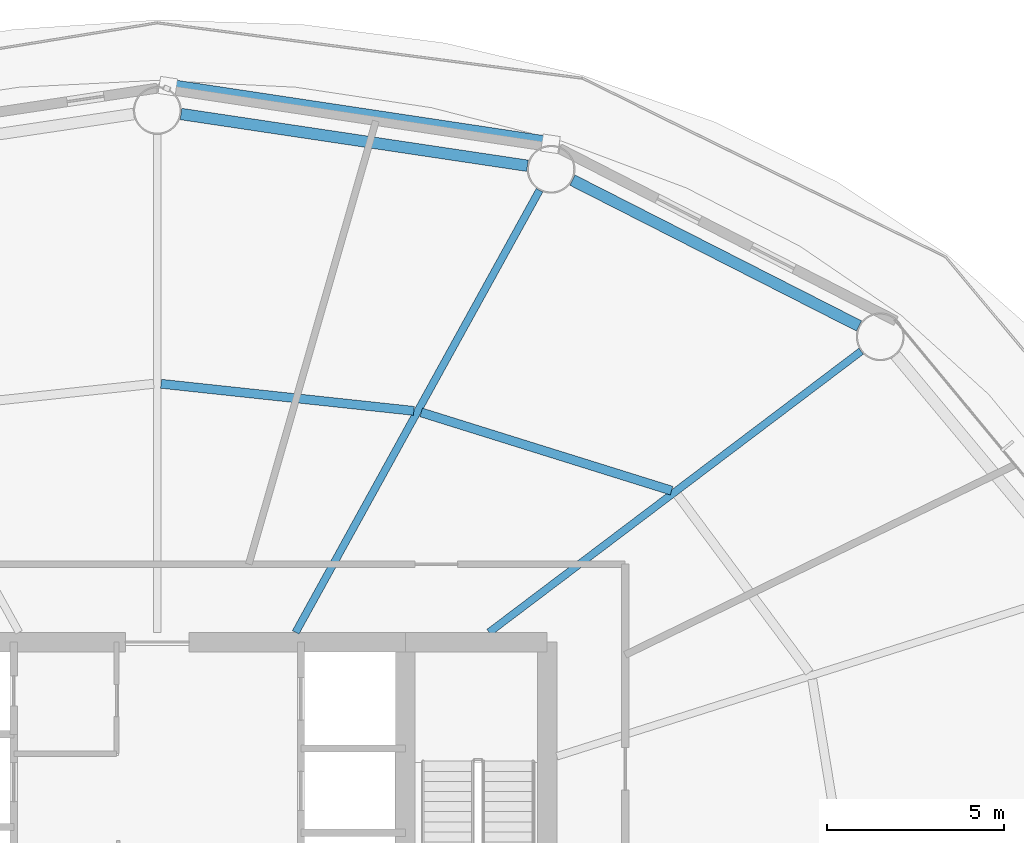
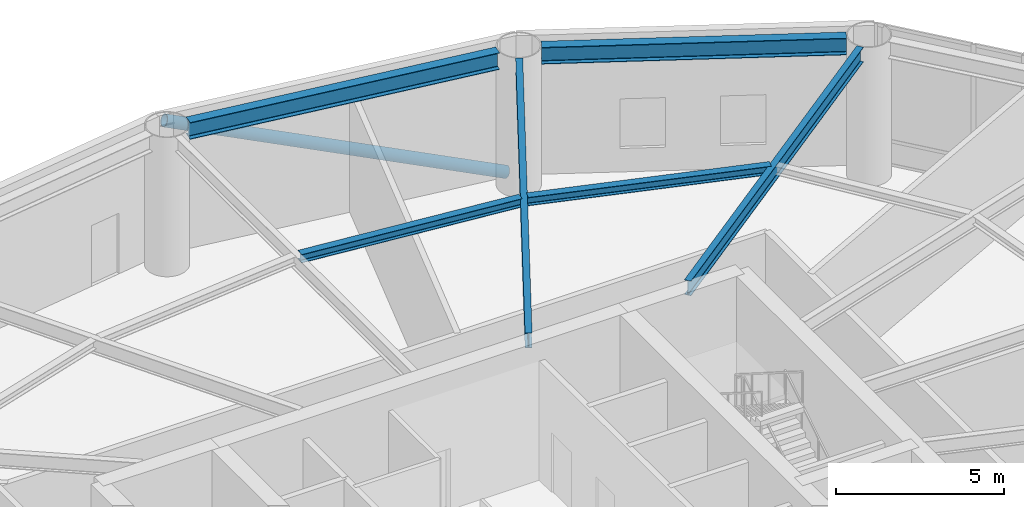
# One storey, part 14 of 25: 6 beams, 1 member.
"""IFC4 building model written with IfcOpenShell, lengths in metres."""

from ifc_helpers import new_model, si_unit, direction, frame, origin, origin_2d, place, context, subcontext, project, spatial, hollow_circle, i_section, extrude, material, material_profile, profile_set, type_object, element, save


model = new_model("IFC4")

# Units and contexts
model_context = context("Model", 3, precision=1e-05, world=origin(), true_north=direction((0.0, 1.0)))
body_context = subcontext(model_context, "Body", "Model", "MODEL_VIEW")
ifc_project = project(units=[si_unit("LENGTHUNIT", "METRE"), si_unit("AREAUNIT", "SQUARE_METRE"), si_unit("VOLUMEUNIT", "CUBIC_METRE"), si_unit("PLANEANGLEUNIT", "RADIAN"), si_unit("MASSUNIT", "GRAM", prefix="KILO")], contexts=[model_context])

# Site, building, storey
site_placement = place(None, origin())
site = spatial("IfcSite", under=ifc_project, at=site_placement, CompositionType="ELEMENT")
building_placement = place(site_placement, origin())
building = spatial("IfcBuilding", under=site, at=building_placement, Name="Sarneth Arch Tower", CompositionType="ELEMENT")
storey_placement = place(building_placement, frame((0.0, 0.0, 134.39990234375)))
storey = spatial("IfcBuildingStorey", under=building, at=storey_placement, Name="L34", CompositionType="ELEMENT", Elevation=134.39990234375)

# Beams
ifc_material_1 = material(Name="Steel S355", Category="steel")
ifc_material_profile_1 = material_profile(ifc_material_1, i_section(OverallWidth=0.25390625, OverallDepth=0.305908203125, WebThickness=0.0087890625, FlangeThickness=0.0146484375, FilletRadius=0.014892578125, at=origin_2d()), Name="W310x79")
ifc_profile_set_1 = profile_set([ifc_material_profile_1], Name="Steel S355")
beam_type_1 = type_object("IfcBeamType", Name="BM-JOIST-310A", PredefinedType="JOIST", material=ifc_profile_set_1)
beam_1_placement = place(storey_placement, frame((62.509765625, 53.072998046875, 4.897216796875), z_axis=(-0.9544870201, 0.298252457594, 0.0), x_axis=(-0.298252457594, -0.9544870201, 0.0)))
element("IfcBeam", 1, at=beam_1_placement, inside=storey, type_object=beam_type_1, Name="L34 Secondary floor joist 03", PredefinedType="JOIST", context=body_context, shape_type="SweptSolid", body=[
    extrude(i_section(OverallWidth=0.25390625, OverallDepth=0.305908203125, WebThickness=0.0087890625, FlangeThickness=0.0146484375, FilletRadius=0.014892578125, at=origin_2d()), origin(), (0.0, 0.0, 1.0), 7.40234375),
])
beam_2_placement = place(storey_placement, frame((55.238525390625, 55.323486328125, 4.897216796875), z_axis=(-0.99429330851, 0.106680910441, 0.0), x_axis=(-0.106680910441, -0.99429330851, 0.0)))
element("IfcBeam", 2, at=beam_2_placement, inside=storey, type_object=beam_type_1, Name="L34 Secondary floor joist 04", PredefinedType="JOIST", context=body_context, shape_type="SweptSolid", body=[
    extrude(i_section(OverallWidth=0.25390625, OverallDepth=0.305908203125, WebThickness=0.0087890625, FlangeThickness=0.0146484375, FilletRadius=0.014892578125, at=origin_2d()), origin(), (0.0, 0.0, 1.0), 7.174560546875),
])
ifc_material_2 = material(Name="Steel S355", Category="steel")
ifc_material_profile_2 = material_profile(ifc_material_2, i_section(OverallWidth=0.2109375, OverallDepth=0.5390625, WebThickness=0.01171875, FlangeThickness=0.018798828125, FilletRadius=0.01806640625, at=origin_2d()), Name="W530x109")
ifc_profile_set_2 = profile_set([ifc_material_profile_2], Name="Steel S355")
beam_type_2 = type_object("IfcBeamType", Name="BM-RAD-530B", PredefinedType="BEAM", material=ifc_profile_set_2)
beam_3_placement = place(storey_placement, frame((57.36181640625, 49.074951171875, 4.780517578125), z_axis=(0.797801476102, 0.602920230818, 0.0), x_axis=(-0.602920230818, 0.797801476102, 0.0)))
element("IfcBeam", 3, at=beam_3_placement, inside=storey, type_object=beam_type_2, Name="L34 Radial floor girder 03", PredefinedType="BEAM", context=body_context, shape_type="SweptSolid", body=[
    extrude(i_section(OverallWidth=0.2109375, OverallDepth=0.5390625, WebThickness=0.01171875, FlangeThickness=0.018798828125, FilletRadius=0.01806640625, at=origin_2d()), origin(), (0.0, 0.0, 1.0), 13.15771484375),
])
beam_4_placement = place(storey_placement, frame((51.90283203125, 49.074951171875, 4.780517578125), z_axis=(0.48301301286, 0.875613173387, 0.0), x_axis=(-0.875613173387, 0.48301301286, 0.0)))
element("IfcBeam", 4, at=beam_4_placement, inside=storey, type_object=beam_type_2, Name="L34 Radial floor girder 04", PredefinedType="BEAM", context=body_context, shape_type="SweptSolid", body=[
    extrude(i_section(OverallWidth=0.2109375, OverallDepth=0.5390625, WebThickness=0.01171875, FlangeThickness=0.018798828125, FilletRadius=0.01806640625, at=origin_2d()), origin(), (0.0, 0.0, 1.0), 14.246826171875),
])
ifc_material_3 = material(Name="Steel S355", Category="steel")
ifc_material_profile_3 = material_profile(ifc_material_3, i_section(OverallWidth=0.323974609375, OverallDepth=0.611083984375, WebThickness=0.0126953125, FlangeThickness=0.01904296875, FilletRadius=0.01904296875, at=origin_2d()), Name="W610x155")
ifc_profile_set_3 = profile_set([ifc_material_profile_3], Name="Steel S355")
beam_type_3 = type_object("IfcBeamType", Name="BM-SPAN-610B", PredefinedType="SPANDREL", material=ifc_profile_set_3)
beam_5_placement = place(storey_placement, frame((67.796142578125, 57.720947265625, 4.74462890625), z_axis=(-0.891255891792, 0.453500755619, 0.0), x_axis=(-0.453500755619, -0.891255891792, 0.0)))
element("IfcBeam", 5, at=beam_5_placement, inside=storey, type_object=beam_type_3, Name="L34 Perimeter spandrel beam 03", PredefinedType="SPANDREL", context=body_context, shape_type="SweptSolid", body=[
    extrude(i_section(OverallWidth=0.323974609375, OverallDepth=0.611083984375, WebThickness=0.0126953125, FlangeThickness=0.01904296875, FilletRadius=0.01904296875, at=origin_2d()), origin(), (0.0, 0.0, 1.0), 9.070556640625),
])
beam_6_placement = place(storey_placement, frame((58.442626953125, 62.240234375, 4.74462890625), z_axis=(-0.989029828744, 0.147715936359, 0.0), x_axis=(-0.147715936359, -0.989029828744, 0.0)))
element("IfcBeam", 6, at=beam_6_placement, inside=storey, type_object=beam_type_3, Name="L34 Perimeter spandrel beam 04", PredefinedType="SPANDREL", context=body_context, shape_type="SweptSolid", body=[
    extrude(i_section(OverallWidth=0.323974609375, OverallDepth=0.611083984375, WebThickness=0.0126953125, FlangeThickness=0.01904296875, FilletRadius=0.01904296875, at=origin_2d()), origin(), (0.0, 0.0, 1.0), 9.883544921875),
])

# Member
ifc_material_4 = material(Name="Steel S355", Category="steel")
ifc_material_profile_4 = material_profile(ifc_material_4, hollow_circle(Radius=0.202880859375, WallThickness=0.01611328125, at=origin_2d()), Name="CHS406x16")
ifc_profile_set_4 = profile_set([ifc_material_profile_4], Name="Steel S355")
member_type = type_object("IfcMemberType", Name="MEM-DIAG-BR2", PredefinedType="BRACE", material=ifc_profile_set_4)
member_placement = place(storey_placement, frame((59.0927734375, 62.859619140625, 0.02001953125), z_axis=(-0.909364905295, 0.136936317685, 0.392815368738), x_axis=(-0.148905755657, -0.988851392239, 0.0)))
element("IfcMember", 7, at=member_placement, inside=storey, type_object=member_type, Name="L34 Perimeter frame diagonal 04", PredefinedType="BRACE", context=body_context, shape_type="SweptSolid", body=[
    extrude(hollow_circle(Radius=0.202880859375, WallThickness=0.01611328125, at=origin_2d()), origin(), (0.0, 0.0, 1.0), 11.8720703125),
])

save(model, "model.ifc")
